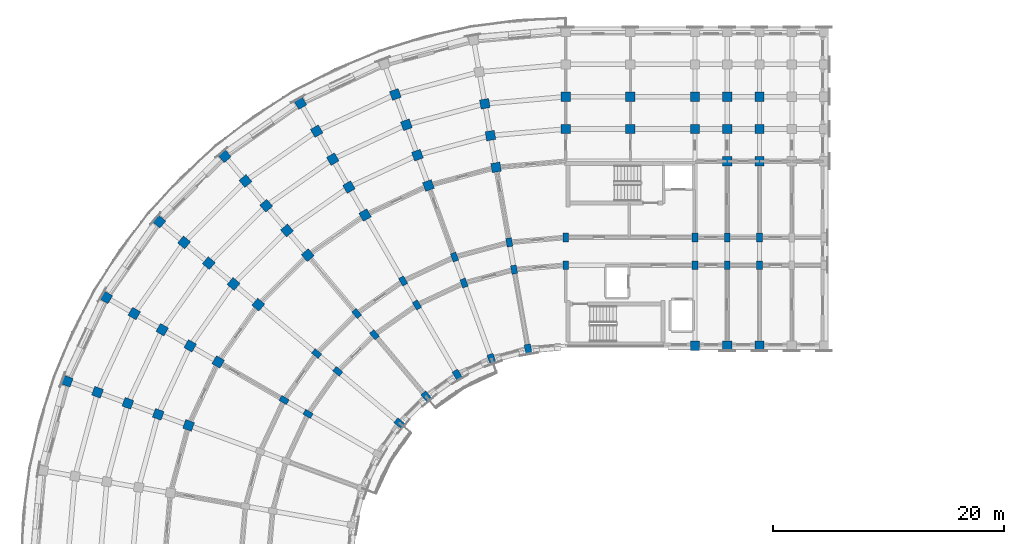
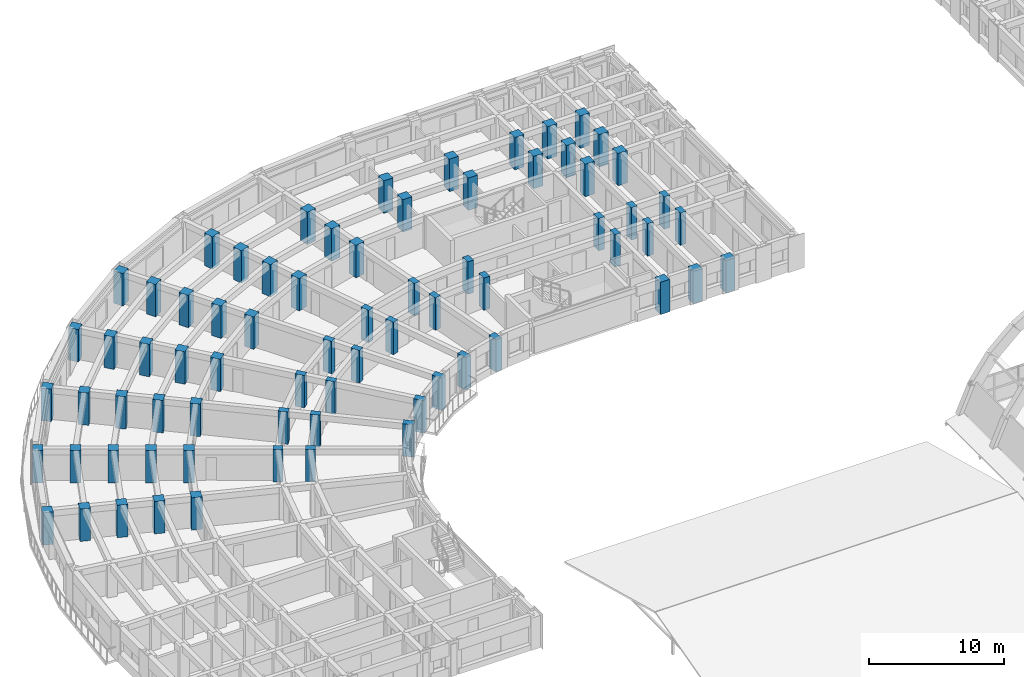
# One storey, part 5 of 76: 72 columns.
"""IFC4 building model written with IfcOpenShell, lengths in metres."""

from ifc_helpers import new_model, si_unit, direction, frame, origin, origin_2d, place, context, subcontext, project, spatial, rectangle, extrude, material, material_profile, profile_set, type_object, element, save


model = new_model("IFC4")

# Units and contexts
model_context = context("Model", 3, precision=1e-05, world=origin(), true_north=direction((0.0, 1.0)))
body_context = subcontext(model_context, "Body", "Model", "MODEL_VIEW")
ifc_project = project(units=[si_unit("LENGTHUNIT", "METRE"), si_unit("AREAUNIT", "SQUARE_METRE"), si_unit("VOLUMEUNIT", "CUBIC_METRE"), si_unit("PLANEANGLEUNIT", "RADIAN"), si_unit("MASSUNIT", "GRAM", prefix="KILO")], contexts=[model_context])

# Site, building, storey
site_placement = place(None, origin())
site = spatial("IfcSite", under=ifc_project, at=site_placement, CompositionType="ELEMENT")
building_placement = place(site_placement, origin())
building = spatial("IfcBuilding", under=site, at=building_placement, Name="Kiranvali Square Residences", CompositionType="ELEMENT")
storey_placement = place(building_placement, frame((0.0, 0.0, 8.699951171875)))
storey = spatial("IfcBuildingStorey", under=building, at=storey_placement, Name="L02", CompositionType="ELEMENT", Elevation=8.699951171875)

# Columns
ifc_material_1 = material(Name="Concrete M45 (45 MPa)", Category="concrete")
ifc_material_profile_1 = material_profile(ifc_material_1, rectangle(XDim=0.5, YDim=0.75, at=origin_2d()), Name="RC 750x500")
ifc_profile_set_1 = profile_set([ifc_material_profile_1], Name="Concrete M45 (45 MPa)")
column_type_1 = type_object("IfcColumnType", Name="COL-M45-750x500", PredefinedType="COLUMN", material=ifc_profile_set_1)
for number, where, z_axis, x_axis, name in (
    (1, (48.199951171875, 113.60009765625, 0.0), (0.0, 0.0, 1.0), (1.0, 0.0, 0.0), "Block A L02 radial column A00-R1"),
    (2, (48.199951171875, 116.0, 0.0), (0.0, 0.0, 1.0), (1.0, 0.0, 0.0), "Block A L02 radial column A00-R2"),
    (3, (43.719970703125, 113.2080078125, 0.0), (0.0, 0.0, 1.0), (0.984807753012, 0.173648177667, 0.0), "Block A L02 radial column A01-R1"),
    (4, (43.30322265625, 115.571533203125, 0.0), (0.0, 0.0, 1.0), (0.984807753012, 0.173648177667, 0.0), "Block A L02 radial column A01-R2"),
    (5, (39.3759765625, 112.044189453125, 0.0), (0.0, 0.0, 1.0), (0.939692620786, 0.342020143326, 0.0), "Block A L02 radial column A02-R1"),
    (6, (38.554931640625, 114.29931640625, 0.0), (0.0, 0.0, 1.0), (0.939692620786, 0.342020143326, 0.0), "Block A L02 radial column A02-R2"),
    (7, (35.300048828125, 110.1435546875, 0.0), (0.0, 0.0, 1.0), (0.866025403784, 0.5, 0.0), "Block A L02 radial column A03-R1"),
    (8, (34.10009765625, 112.221923828125, 0.0), (0.0, 0.0, 1.0), (0.866025403784, 0.5, 0.0), "Block A L02 radial column A03-R2"),
    (9, (31.615966796875, 107.56396484375, 0.0), (0.0, 0.0, 1.0), (0.766044443119, 0.642787609687, 0.0), "Block A L02 radial column A04-R1"),
    (10, (30.073486328125, 109.40234375, 0.0), (0.0, 0.0, 1.0), (0.766044443119, 0.642787609687, 0.0), "Block A L02 radial column A04-R2"),
    (11, (28.43603515625, 104.384033203125, 0.0), (0.0, 0.0, 1.0), (0.642787609687, 0.766044443119, 0.0), "Block A L02 radial column A05-R1"),
    (12, (26.59765625, 105.926513671875, 0.0), (0.0, 0.0, 1.0), (0.642787609687, 0.766044443119, 0.0), "Block A L02 radial column A05-R2"),
    (13, (25.8564453125, 100.699951171875, 0.0), (0.0, 0.0, 1.0), (0.5, 0.866025403784, 0.0), "Block A L02 radial column A06-R1"),
    (14, (23.778076171875, 101.89990234375, 0.0), (0.0, 0.0, 1.0), (0.5, 0.866025403784, 0.0), "Block A L02 radial column A06-R2"),
    (15, (59.39990234375, 113.60009765625, 0.0), (0.0, 0.0, 1.0), (1.0, 0.0, 0.0), "Block A L02 Arm 1 column U1-R1"),
    (16, (59.39990234375, 116.0, 0.0), (0.0, 0.0, 1.0), (1.0, 0.0, 0.0), "Block A L02 Arm 1 column U1-R2"),
    (17, (62.199951171875, 113.60009765625, 0.0), (0.0, 0.0, 1.0), (1.0, 0.0, 0.0), "Block A L02 Arm 1 column U2-R1"),
    (18, (62.199951171875, 116.0, 0.0), (0.0, 0.0, 1.0), (1.0, 0.0, 0.0), "Block A L02 Arm 1 column U2-R2"),
    (19, (65.0, 113.60009765625, 0.0), (0.0, 0.0, 1.0), (1.0, 0.0, 0.0), "Block A L02 Arm 1 column U3-R1"),
    (20, (65.0, 116.0, 0.0), (0.0, 0.0, 1.0), (1.0, 0.0, 0.0), "Block A L02 Arm 1 column U3-R2"),
):
    element("IfcColumn", number, at=place(storey_placement, frame(where, z_axis=z_axis, x_axis=x_axis)), inside=storey, type_object=column_type_1, Name=name, PredefinedType="COLUMN", context=body_context, shape_type="SweptSolid", body=[
        extrude(rectangle(XDim=0.5, YDim=0.75, at=origin_2d()), origin(), (0.0, 0.0, 1.0), 2.929931640625),
    ])
ifc_material_2 = material(Name="Concrete M50 (50 MPa)", Category="concrete")
ifc_material_profile_2 = material_profile(ifc_material_2, rectangle(XDim=0.800048828125, YDim=0.800048828125, at=origin_2d()), Name="RC 800x800")
ifc_profile_set_2 = profile_set([ifc_material_profile_2], Name="Concrete M50 (50 MPa)")
column_type_2 = type_object("IfcColumnType", Name="COL-M50-800", PredefinedType="COLUMN", material=ifc_profile_set_2)
for number, where, z_axis, x_axis, name in (
    (21, (48.199951171875, 125.39990234375, 0.0), (0.0, 0.0, 1.0), (1.0, 0.0, 0.0), "Block A L02 radial column A00-R4"),
    (22, (48.199951171875, 128.199951171875, 0.0), (0.0, 0.0, 1.0), (1.0, 0.0, 0.0), "Block A L02 radial column A00-R5"),
    (23, (42.156982421875, 122.0712890625, 0.0), (0.0, 0.0, 1.0), (0.984807753012, 0.173648177667, 0.0), "Block A L02 radial column A01-R3"),
    (24, (41.6708984375, 124.828857421875, 0.0), (0.0, 0.0, 1.0), (0.984807753012, 0.173648177667, 0.0), "Block A L02 radial column A01-R4"),
    (25, (41.1845703125, 127.586181640625, 0.0), (0.0, 0.0, 1.0), (0.984807753012, 0.173648177667, 0.0), "Block A L02 radial column A01-R5"),
    (26, (36.297607421875, 120.501220703125, 0.0), (0.0, 0.0, 1.0), (0.939692620786, 0.342020143326, 0.0), "Block A L02 radial column A02-R3"),
    (27, (35.340087890625, 123.13232421875, 0.0), (0.0, 0.0, 1.0), (0.939692620786, 0.342020143326, 0.0), "Block A L02 radial column A02-R4"),
    (28, (34.38232421875, 125.763671875, 0.0), (0.0, 0.0, 1.0), (0.939692620786, 0.342020143326, 0.0), "Block A L02 radial column A02-R5"),
    (29, (33.4248046875, 128.394775390625, 0.0), (0.0, 0.0, 1.0), (0.939692620786, 0.342020143326, 0.0), "Block A L02 radial column A02-R6"),
    (30, (30.800048828125, 117.937744140625, 0.0), (0.0, 0.0, 1.0), (0.866025403784, 0.5, 0.0), "Block A L02 radial column A03-R3"),
    (31, (29.39990234375, 120.362548828125, 0.0), (0.0, 0.0, 1.0), (0.866025403784, 0.5, 0.0), "Block A L02 radial column A03-R4"),
    (32, (28.0, 122.787353515625, 0.0), (0.0, 0.0, 1.0), (0.866025403784, 0.5, 0.0), "Block A L02 radial column A03-R5"),
    (33, (26.60009765625, 125.21240234375, 0.0), (0.0, 0.0, 1.0), (0.866025403784, 0.5, 0.0), "Block A L02 radial column A03-R6"),
    (34, (25.199951171875, 127.63720703125, 0.0), (0.0, 0.0, 1.0), (0.866025403784, 0.5, 0.0), "Block A L02 radial column A03-R7"),
    (35, (25.8310546875, 114.458251953125, 0.0), (0.0, 0.0, 1.0), (0.766044443119, 0.642787609687, 0.0), "Block A L02 radial column A04-R3"),
    (36, (24.03125, 116.603271484375, 0.0), (0.0, 0.0, 1.0), (0.766044443119, 0.642787609687, 0.0), "Block A L02 radial column A04-R4"),
    (37, (22.2314453125, 118.748291015625, 0.0), (0.0, 0.0, 1.0), (0.766044443119, 0.642787609687, 0.0), "Block A L02 radial column A04-R5"),
    (38, (20.431640625, 120.89306640625, 0.0), (0.0, 0.0, 1.0), (0.766044443119, 0.642787609687, 0.0), "Block A L02 radial column A04-R6"),
    (39, (18.6318359375, 123.0380859375, 0.0), (0.0, 0.0, 1.0), (0.766044443119, 0.642787609687, 0.0), "Block A L02 radial column A04-R7"),
    (40, (21.541748046875, 110.1689453125, 0.0), (0.0, 0.0, 1.0), (0.642787609687, 0.766044443119, 0.0), "Block A L02 radial column A05-R3"),
    (41, (19.396728515625, 111.96875, 0.0), (0.0, 0.0, 1.0), (0.642787609687, 0.766044443119, 0.0), "Block A L02 radial column A05-R4"),
    (42, (17.251708984375, 113.7685546875, 0.0), (0.0, 0.0, 1.0), (0.642787609687, 0.766044443119, 0.0), "Block A L02 radial column A05-R5"),
    (43, (15.10693359375, 115.568359375, 0.0), (0.0, 0.0, 1.0), (0.642787609687, 0.766044443119, 0.0), "Block A L02 radial column A05-R6"),
    (44, (12.9619140625, 117.3681640625, 0.0), (0.0, 0.0, 1.0), (0.642787609687, 0.766044443119, 0.0), "Block A L02 radial column A05-R7"),
    (45, (18.062255859375, 105.199951171875, 0.0), (0.0, 0.0, 1.0), (0.5, 0.866025403784, 0.0), "Block A L02 radial column A06-R3"),
    (46, (15.637451171875, 106.60009765625, 0.0), (0.0, 0.0, 1.0), (0.5, 0.866025403784, 0.0), "Block A L02 radial column A06-R4"),
    (47, (13.212646484375, 108.0, 0.0), (0.0, 0.0, 1.0), (0.5, 0.866025403784, 0.0), "Block A L02 radial column A06-R5"),
    (48, (10.78759765625, 109.39990234375, 0.0), (0.0, 0.0, 1.0), (0.5, 0.866025403784, 0.0), "Block A L02 radial column A06-R6"),
    (49, (8.36279296875, 110.800048828125, 0.0), (0.0, 0.0, 1.0), (0.5, 0.866025403784, 0.0), "Block A L02 radial column A06-R7"),
    (50, (15.498779296875, 99.702392578125, 0.0), (0.0, 0.0, 1.0), (0.342020143326, 0.939692620786, 0.0), "Block A L02 radial column A07-R3"),
    (51, (12.86767578125, 100.659912109375, 0.0), (0.0, 0.0, 1.0), (0.342020143326, 0.939692620786, 0.0), "Block A L02 radial column A07-R4"),
    (52, (10.236328125, 101.61767578125, 0.0), (0.0, 0.0, 1.0), (0.342020143326, 0.939692620786, 0.0), "Block A L02 radial column A07-R5"),
    (53, (7.605224609375, 102.5751953125, 0.0), (0.0, 0.0, 1.0), (0.342020143326, 0.939692620786, 0.0), "Block A L02 radial column A07-R6"),
    (54, (4.97412109375, 103.532958984375, 0.0), (0.0, 0.0, 1.0), (0.342020143326, 0.939692620786, 0.0), "Block A L02 radial column A07-R7"),
    (55, (53.800048828125, 125.39990234375, 0.0), (0.0, 0.0, 1.0), (1.0, 0.0, 0.0), "Block A L02 core-front column U0-R4"),
    (56, (53.800048828125, 128.199951171875, 0.0), (0.0, 0.0, 1.0), (1.0, 0.0, 0.0), "Block A L02 core-front column U0-R5"),
    (57, (59.39990234375, 106.60009765625, 0.0), (0.0, 0.0, 1.0), (1.0, 0.0, 0.0), "Block A L02 Arm 1 column U1-R0"),
    (58, (59.39990234375, 125.39990234375, 0.0), (0.0, 0.0, 1.0), (1.0, 0.0, 0.0), "Block A L02 Arm 1 column U1-R4"),
    (59, (59.39990234375, 128.199951171875, 0.0), (0.0, 0.0, 1.0), (1.0, 0.0, 0.0), "Block A L02 Arm 1 column U1-R5"),
    (60, (62.199951171875, 106.60009765625, 0.0), (0.0, 0.0, 1.0), (1.0, 0.0, 0.0), "Block A L02 Arm 1 column U2-R0"),
    (61, (62.199951171875, 122.60009765625, 0.0), (0.0, 0.0, 1.0), (1.0, 0.0, 0.0), "Block A L02 Arm 1 column U2-R3"),
    (62, (62.199951171875, 125.39990234375, 0.0), (0.0, 0.0, 1.0), (1.0, 0.0, 0.0), "Block A L02 Arm 1 column U2-R4"),
    (63, (62.199951171875, 128.199951171875, 0.0), (0.0, 0.0, 1.0), (1.0, 0.0, 0.0), "Block A L02 Arm 1 column U2-R5"),
    (64, (65.0, 106.60009765625, 0.0), (0.0, 0.0, 1.0), (1.0, 0.0, 0.0), "Block A L02 Arm 1 column U3-R0"),
    (65, (65.0, 122.60009765625, 0.0), (0.0, 0.0, 1.0), (1.0, 0.0, 0.0), "Block A L02 Arm 1 column U3-R3"),
    (66, (65.0, 125.39990234375, 0.0), (0.0, 0.0, 1.0), (1.0, 0.0, 0.0), "Block A L02 Arm 1 column U3-R4"),
    (67, (65.0, 128.199951171875, 0.0), (0.0, 0.0, 1.0), (1.0, 0.0, 0.0), "Block A L02 Arm 1 column U3-R5"),
):
    element("IfcColumn", number, at=place(storey_placement, frame(where, z_axis=z_axis, x_axis=x_axis)), inside=storey, type_object=column_type_2, Name=name, PredefinedType="COLUMN", context=body_context, shape_type="SweptSolid", body=[
        extrude(rectangle(XDim=0.800048828125, YDim=0.800048828125, at=origin_2d()), origin(), (0.0, 0.0, 1.0), 2.929931640625),
    ])
ifc_material_profile_3 = material_profile(ifc_material_2, rectangle(XDim=0.550048828125, YDim=0.85009765625, at=origin_2d()), Name="RC 850x550")
ifc_profile_set_3 = profile_set([ifc_material_profile_3], Name="Concrete M50 (50 MPa)")
column_type_3 = type_object("IfcColumnType", Name="COL-M50-850x550", PredefinedType="COLUMN", material=ifc_profile_set_3)
for number, where, z_axis, x_axis, name in (
    (68, (44.935302734375, 106.314453125, 0.0), (0.0, 0.0, 1.0), (0.984807753012, 0.173648177667, 0.0), "Block A L02 radial column A01-R0"),
    (69, (41.77001953125, 105.46630859375, 0.0), (0.0, 0.0, 1.0), (0.939692620786, 0.342020143326, 0.0), "Block A L02 radial column A02-R0"),
    (70, (38.800048828125, 104.081298828125, 0.0), (0.0, 0.0, 1.0), (0.866025403784, 0.5, 0.0), "Block A L02 radial column A03-R0"),
    (71, (36.115478515625, 102.20166015625, 0.0), (0.0, 0.0, 1.0), (0.766044443119, 0.642787609687, 0.0), "Block A L02 radial column A04-R0"),
    (72, (33.79833984375, 99.884521484375, 0.0), (0.0, 0.0, 1.0), (0.642787609687, 0.766044443119, 0.0), "Block A L02 radial column A05-R0"),
):
    element("IfcColumn", number, at=place(storey_placement, frame(where, z_axis=z_axis, x_axis=x_axis)), inside=storey, type_object=column_type_3, Name=name, PredefinedType="COLUMN", context=body_context, shape_type="SweptSolid", body=[
        extrude(rectangle(XDim=0.550048828125, YDim=0.85009765625, at=origin_2d()), origin(), (0.0, 0.0, 1.0), 2.929931640625),
    ])

save(model, "model.ifc")
